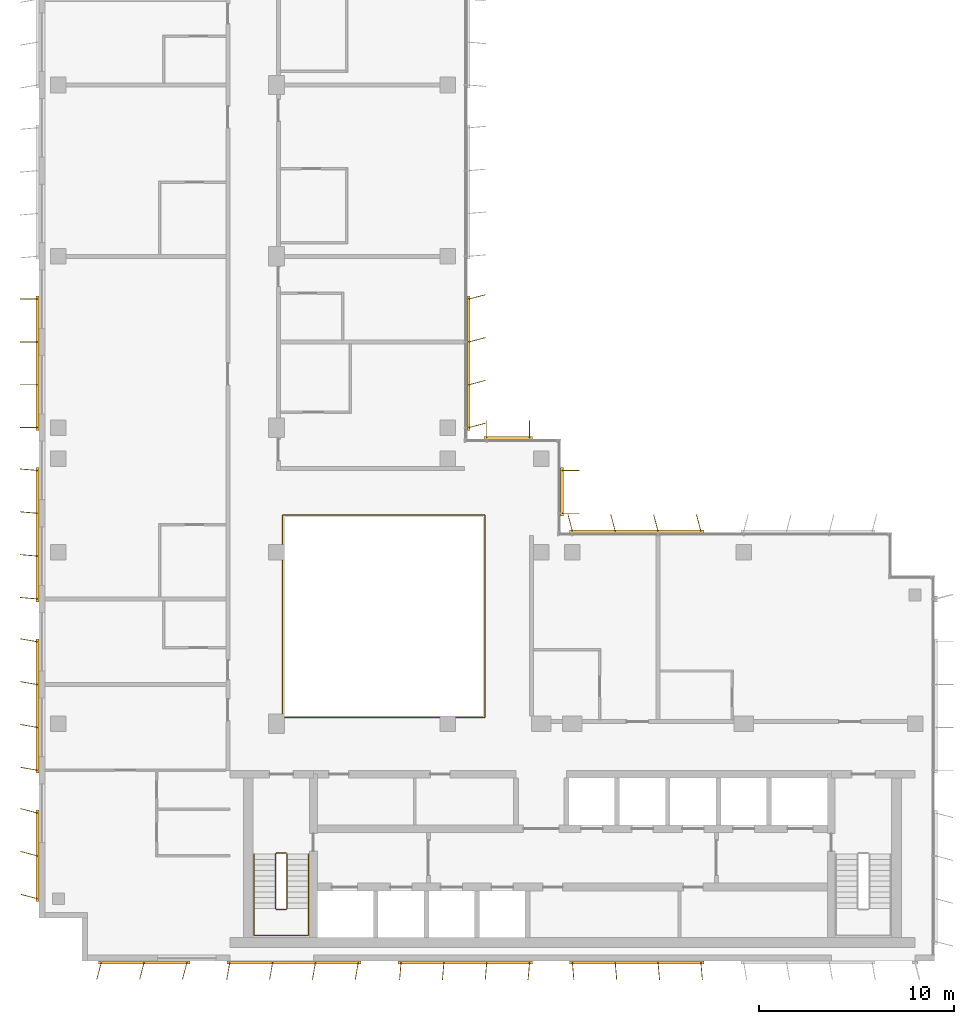
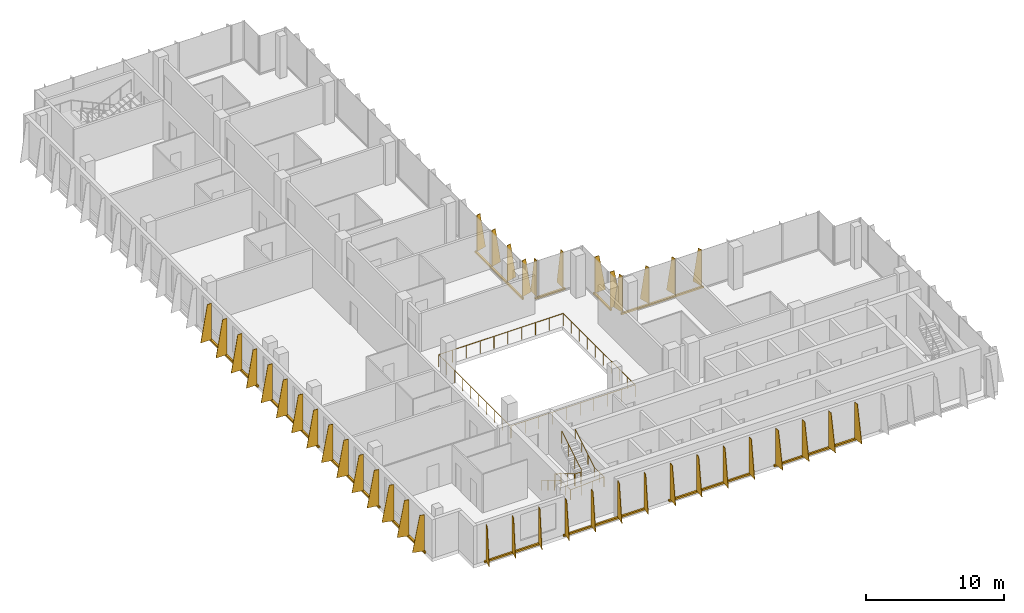
# One storey, part 13 of 15: 12 shading devices, 3 railings.
"""IFC4 building model written with IfcOpenShell, lengths in metres."""

from ifc_helpers import new_model, si_unit, direction, frame, origin, origin_2d, place, context, subcontext, project, spatial, polyline, rectangle, circle, outline, extrude, source, transform, mapped, material, layer, layer_set, type_object, element, save


model = new_model("IFC4")

# Units and contexts
model_context = context("Model", 3, precision=1e-05, world=origin(), true_north=direction((0.0, 1.0)))
body_context = subcontext(model_context, "Body", "Model", "MODEL_VIEW")
ifc_project = project(units=[si_unit("LENGTHUNIT", "METRE"), si_unit("AREAUNIT", "SQUARE_METRE"), si_unit("VOLUMEUNIT", "CUBIC_METRE"), si_unit("PLANEANGLEUNIT", "RADIAN"), si_unit("MASSUNIT", "GRAM", prefix="KILO")], contexts=[model_context])

# Site, building, storey
site_placement = place(None, origin())
site = spatial("IfcSite", under=ifc_project, at=site_placement, CompositionType="ELEMENT")
building_placement = place(site_placement, origin())
building = spatial("IfcBuilding", under=site, at=building_placement, Name="Kemantara Hotel Tower", CompositionType="ELEMENT")
storey_placement = place(building_placement, frame((0.0, 0.0, 230.199951171875)))
storey = spatial("IfcBuildingStorey", under=building, at=storey_placement, Name="L57", CompositionType="ELEMENT", Elevation=230.199951171875)

# Railings
ifc_material_1 = material(Name="Stainless steel and laminated glass balustrade", Category="steel")
railing_type_1 = type_object("IfcRailingType", Name="ATRIUM GUARD 1100", PredefinedType="GUARDRAIL", material=ifc_material_1)
railing_1_placement = place(storey_placement, frame((12.56005859375, 12.5, 0.0)))
element("IfcRailing", 1, at=railing_1_placement, inside=storey, type_object=railing_type_1, Name="ATRIUM GUARD L57", PredefinedType="GUARDRAIL", context=body_context, shape_type="SweptSolid", body=[
    extrude(circle(Radius=0.02490234375, at=origin_2d()), frame((0.0, 0.0, 1.0751953125), z_axis=(1.0, 0.0, 0.0), x_axis=(0.0, 1.0, 0.0)), (0.0, 0.0, 1.0), 10.33984375),
    extrude(circle(Radius=0.02490234375, at=origin_2d()), frame((10.33984375, 0.0, 1.0751953125), z_axis=(0.0, 1.0, 0.0), x_axis=(-1.0, 0.0, 0.0)), (0.0, 0.0, 1.0), 10.39990234375),
    extrude(circle(Radius=0.02490234375, at=origin_2d()), frame((10.33984375, 10.39990234375, 1.0751953125), z_axis=(-1.0, 0.0, 0.0), x_axis=(0.0, -1.0, 0.0)), (0.0, 0.0, 1.0), 10.39990234375),
    extrude(circle(Radius=0.02490234375, at=origin_2d()), frame((-0.06005859375, 10.39990234375, 1.0751953125), z_axis=(0.0, -1.0, 0.0), x_axis=(1.0, 0.0, 0.0)), (0.0, 0.0, 1.0), 10.39990234375),
    extrude(circle(Radius=0.02001953125, at=origin_2d()), origin(), (0.0, 0.0, 1.0), 1.050048828125),
    extrude(circle(Radius=0.02001953125, at=origin_2d()), frame((1.14892578125, 0.0, 0.0)), (0.0, 0.0, 1.0), 1.050048828125),
    extrude(circle(Radius=0.02001953125, at=origin_2d()), frame((2.2978515625, 0.0, 0.0)), (0.0, 0.0, 1.0), 1.050048828125),
    extrude(circle(Radius=0.02001953125, at=origin_2d()), frame((3.446533203125, 0.0, 0.0)), (0.0, 0.0, 1.0), 1.050048828125),
    extrude(circle(Radius=0.02001953125, at=origin_2d()), frame((4.595458984375, 0.0, 0.0)), (0.0, 0.0, 1.0), 1.050048828125),
    extrude(circle(Radius=0.02001953125, at=origin_2d()), frame((5.744384765625, 0.0, 0.0)), (0.0, 0.0, 1.0), 1.050048828125),
    extrude(circle(Radius=0.02001953125, at=origin_2d()), frame((6.893310546875, 0.0, 0.0)), (0.0, 0.0, 1.0), 1.050048828125),
    extrude(circle(Radius=0.02001953125, at=origin_2d()), frame((8.0419921875, 0.0, 0.0)), (0.0, 0.0, 1.0), 1.050048828125),
    extrude(circle(Radius=0.02001953125, at=origin_2d()), frame((9.19091796875, 0.0, 0.0)), (0.0, 0.0, 1.0), 1.050048828125),
    extrude(circle(Radius=0.02001953125, at=origin_2d()), frame((10.33984375, 0.0, 0.0)), (0.0, 0.0, 1.0), 1.050048828125),
    extrude(circle(Radius=0.02001953125, at=origin_2d()), frame((10.33984375, 1.155517578125, 0.0)), (0.0, 0.0, 1.0), 1.050048828125),
    extrude(circle(Radius=0.02001953125, at=origin_2d()), frame((10.33984375, 2.31103515625, 0.0)), (0.0, 0.0, 1.0), 1.050048828125),
    extrude(circle(Radius=0.02001953125, at=origin_2d()), frame((10.33984375, 3.466552734375, 0.0)), (0.0, 0.0, 1.0), 1.050048828125),
    extrude(circle(Radius=0.02001953125, at=origin_2d()), frame((10.33984375, 4.6220703125, 0.0)), (0.0, 0.0, 1.0), 1.050048828125),
    extrude(circle(Radius=0.02001953125, at=origin_2d()), frame((10.33984375, 5.77783203125, 0.0)), (0.0, 0.0, 1.0), 1.050048828125),
    extrude(circle(Radius=0.02001953125, at=origin_2d()), frame((10.33984375, 6.933349609375, 0.0)), (0.0, 0.0, 1.0), 1.050048828125),
    extrude(circle(Radius=0.02001953125, at=origin_2d()), frame((10.33984375, 8.0888671875, 0.0)), (0.0, 0.0, 1.0), 1.050048828125),
    extrude(circle(Radius=0.02001953125, at=origin_2d()), frame((10.33984375, 9.244384765625, 0.0)), (0.0, 0.0, 1.0), 1.050048828125),
    extrude(circle(Radius=0.02001953125, at=origin_2d()), frame((10.33984375, 10.39990234375, 0.0)), (0.0, 0.0, 1.0), 1.050048828125),
    extrude(circle(Radius=0.02001953125, at=origin_2d()), frame((9.184326171875, 10.39990234375, 0.0)), (0.0, 0.0, 1.0), 1.050048828125),
    extrude(circle(Radius=0.02001953125, at=origin_2d()), frame((8.02880859375, 10.39990234375, 0.0)), (0.0, 0.0, 1.0), 1.050048828125),
    extrude(circle(Radius=0.02001953125, at=origin_2d()), frame((6.873291015625, 10.39990234375, 0.0)), (0.0, 0.0, 1.0), 1.050048828125),
    extrude(circle(Radius=0.02001953125, at=origin_2d()), frame((5.7177734375, 10.39990234375, 0.0)), (0.0, 0.0, 1.0), 1.050048828125),
    extrude(circle(Radius=0.02001953125, at=origin_2d()), frame((4.56201171875, 10.39990234375, 0.0)), (0.0, 0.0, 1.0), 1.050048828125),
    extrude(circle(Radius=0.02001953125, at=origin_2d()), frame((3.406494140625, 10.39990234375, 0.0)), (0.0, 0.0, 1.0), 1.050048828125),
    extrude(circle(Radius=0.02001953125, at=origin_2d()), frame((2.2509765625, 10.39990234375, 0.0)), (0.0, 0.0, 1.0), 1.050048828125),
    extrude(circle(Radius=0.02001953125, at=origin_2d()), frame((1.095458984375, 10.39990234375, 0.0)), (0.0, 0.0, 1.0), 1.050048828125),
    extrude(circle(Radius=0.02001953125, at=origin_2d()), frame((-0.06005859375, 10.39990234375, 0.0)), (0.0, 0.0, 1.0), 1.050048828125),
    extrude(circle(Radius=0.02001953125, at=origin_2d()), frame((-0.06005859375, 9.244384765625, 0.0)), (0.0, 0.0, 1.0), 1.050048828125),
    extrude(circle(Radius=0.02001953125, at=origin_2d()), frame((-0.06005859375, 8.0888671875, 0.0)), (0.0, 0.0, 1.0), 1.050048828125),
    extrude(circle(Radius=0.02001953125, at=origin_2d()), frame((-0.06005859375, 6.933349609375, 0.0)), (0.0, 0.0, 1.0), 1.050048828125),
    extrude(circle(Radius=0.02001953125, at=origin_2d()), frame((-0.06005859375, 5.77783203125, 0.0)), (0.0, 0.0, 1.0), 1.050048828125),
    extrude(circle(Radius=0.02001953125, at=origin_2d()), frame((-0.06005859375, 4.6220703125, 0.0)), (0.0, 0.0, 1.0), 1.050048828125),
    extrude(circle(Radius=0.02001953125, at=origin_2d()), frame((-0.06005859375, 3.466552734375, 0.0)), (0.0, 0.0, 1.0), 1.050048828125),
    extrude(circle(Radius=0.02001953125, at=origin_2d()), frame((-0.06005859375, 2.31103515625, 0.0)), (0.0, 0.0, 1.0), 1.050048828125),
    extrude(circle(Radius=0.02001953125, at=origin_2d()), frame((-0.06005859375, 1.155517578125, 0.0)), (0.0, 0.0, 1.0), 1.050048828125),
    extrude(circle(Radius=0.02001953125, at=origin_2d()), frame((-0.06005859375, 0.0, 0.0)), (0.0, 0.0, 1.0), 1.050048828125),
])
ifc_material_2 = material(Name="Stainless steel balustrade", Category="steel")
railing_type_2 = type_object("IfcRailingType", Name="Stair guard 1100 mm", PredefinedType="GUARDRAIL", material=ifc_material_2)
railing_2_placement = place(storey_placement, frame((12.75, 5.5, 3.699951171875)))
element("IfcRailing", 2, at=railing_2_placement, inside=storey, type_object=railing_type_2, Name="L57 ST1 stair guard 1", PredefinedType="GUARDRAIL", context=body_context, shape_type="SweptSolid", body=[
    extrude(circle(Radius=0.02392578125, at=origin_2d()), frame((0.0, 0.0, 1.076171875), z_axis=(0.0, -0.857275202839, -0.514858452973), x_axis=(1.0, 0.0, 0.0)), (0.0, 0.0, 1.0), 3.26611328125),
    extrude(circle(Radius=0.02392578125, at=origin_2d()), frame((0.0, -2.800048828125, -0.60546875), z_axis=(-0.274243871929, -0.274243871929, -0.92172696468), x_axis=(0.707106781187, -0.707106781187, 0.0)), (0.0, 0.0, 1.0), 0.1826171875),
    extrude(circle(Radius=0.02392578125, at=origin_2d()), frame((-0.050048828125, -2.85009765625, -0.77392578125), z_axis=(-1.0, 0.0, 0.0), x_axis=(0.0, -1.0, 0.0)), (0.0, 0.0, 1.0), 0.5),
    extrude(circle(Radius=0.02392578125, at=origin_2d()), frame((-0.550048828125, -2.85009765625, -0.77392578125), z_axis=(-0.707106781187, 0.707106781187, 0.0), x_axis=(-0.707106781187, -0.707106781187, 0.0)), (0.0, 0.0, 1.0), 0.07080078125),
    extrude(circle(Radius=0.02392578125, at=origin_2d()), frame((-0.60009765625, -2.800048828125, -0.77392578125), z_axis=(0.0, 0.857242210791, -0.514913383045), x_axis=(-1.0, 0.0, 0.0)), (0.0, 0.0, 1.0), 3.266357421875),
    extrude(circle(Radius=0.02392578125, at=origin_2d()), frame((-0.60009765625, 0.0, -2.45556640625), z_axis=(0.274243871929, 0.274243871929, -0.92172696468), x_axis=(-0.707106781187, 0.707106781187, 0.0)), (0.0, 0.0, 1.0), 0.1826171875),
    extrude(circle(Radius=0.02392578125, at=origin_2d()), frame((-0.550048828125, 0.050048828125, -2.6240234375), z_axis=(1.0, 0.0, 0.0), x_axis=(0.0, 1.0, 0.0)), (0.0, 0.0, 1.0), 0.5),
    extrude(circle(Radius=0.02099609375, at=origin_2d()), origin(), (0.0, 0.0, 1.0), 1.052001953125),
    extrude(circle(Radius=0.02099609375, at=origin_2d()), frame((0.0, -0.933349609375, -0.560546875)), (0.0, 0.0, 1.0), 1.052001953125),
    extrude(circle(Radius=0.02099609375, at=origin_2d()), frame((0.0, -1.86669921875, -1.12109375)), (0.0, 0.0, 1.0), 1.052001953125),
    extrude(circle(Radius=0.02099609375, at=origin_2d()), frame((0.0, -2.800048828125, -1.681640625)), (0.0, 0.0, 1.0), 1.052001953125),
    extrude(circle(Radius=0.02099609375, at=origin_2d()), frame((-0.050048828125, -2.85009765625, -1.849853515625)), (0.0, 0.0, 1.0), 1.052001953125),
    extrude(circle(Radius=0.02099609375, at=origin_2d()), frame((-0.550048828125, -2.85009765625, -1.849853515625)), (0.0, 0.0, 1.0), 1.052001953125),
    extrude(circle(Radius=0.02099609375, at=origin_2d()), frame((-0.60009765625, -2.800048828125, -1.849853515625)), (0.0, 0.0, 1.0), 1.052001953125),
    extrude(circle(Radius=0.02099609375, at=origin_2d()), frame((-0.60009765625, -1.86669921875, -2.410400390625)), (0.0, 0.0, 1.0), 1.052001953125),
    extrude(circle(Radius=0.02099609375, at=origin_2d()), frame((-0.60009765625, -0.933349609375, -2.97119140625)), (0.0, 0.0, 1.0), 1.052001953125),
    extrude(circle(Radius=0.02099609375, at=origin_2d()), frame((-0.60009765625, 0.0, -3.53173828125)), (0.0, 0.0, 1.0), 1.052001953125),
    extrude(circle(Radius=0.02099609375, at=origin_2d()), frame((-0.550048828125, 0.050048828125, -3.699951171875)), (0.0, 0.0, 1.0), 1.052001953125),
    extrude(circle(Radius=0.02099609375, at=origin_2d()), frame((-0.050048828125, 0.050048828125, -3.699951171875)), (0.0, 0.0, 1.0), 1.052001953125),
])
railing_type_3 = type_object("IfcRailingType", Name="Stair handrail 900 mm", PredefinedType="HANDRAIL", material=ifc_material_2)
railing_3_placement = place(storey_placement, frame((11.050048828125, 5.5, 0.168212890625)))
element("IfcRailing", 3, at=railing_3_placement, inside=storey, type_object=railing_type_3, Name="L57 ST1 stair handrail 1", PredefinedType="HANDRAIL", context=body_context, shape_type="SweptSolid", body=[
    extrude(circle(Radius=0.02392578125, at=origin_2d()), frame((0.0, 0.0, 0.8759765625), z_axis=(0.0, -0.857242210791, 0.514913383045), x_axis=(1.0, 0.0, 0.0)), (0.0, 0.0, 1.0), 3.266357421875),
    extrude(circle(Radius=0.02392578125, at=origin_2d()), frame((0.0, -2.800048828125, 2.5576171875), z_axis=(0.0, -1.0, 0.0), x_axis=(1.0, 0.0, 0.0)), (0.0, 0.0, 1.0), 1.3798828125),
    extrude(circle(Radius=0.02392578125, at=origin_2d()), frame((0.0, -4.179931640625, 2.5576171875), z_axis=(0.998200367801, 0.0, 0.059966871865), x_axis=(0.0, 1.0, 0.0)), (0.0, 0.0, 1.0), 2.80517578125),
    extrude(circle(Radius=0.02392578125, at=origin_2d()), frame((2.800048828125, -4.179931640625, 2.72607421875), z_axis=(0.0, 1.0, 0.0), x_axis=(-1.0, 0.0, 0.0)), (0.0, 0.0, 1.0), 1.3798828125),
    extrude(circle(Radius=0.02392578125, at=origin_2d()), frame((2.800048828125, -2.800048828125, 2.72607421875), z_axis=(0.0, 0.857275202839, 0.514858452973), x_axis=(-1.0, 0.0, 0.0)), (0.0, 0.0, 1.0), 3.26611328125),
    extrude(circle(Radius=0.02099609375, at=origin_2d()), origin(), (0.0, 0.0, 1.0), 0.851806640625),
    extrude(circle(Radius=0.02099609375, at=origin_2d()), frame((0.0, -0.933349609375, 0.560546875)), (0.0, 0.0, 1.0), 0.851806640625),
    extrude(circle(Radius=0.02099609375, at=origin_2d()), frame((0.0, -1.86669921875, 1.121337890625)), (0.0, 0.0, 1.0), 0.851806640625),
    extrude(circle(Radius=0.02099609375, at=origin_2d()), frame((0.0, -2.800048828125, 1.681884765625)), (0.0, 0.0, 1.0), 0.851806640625),
    extrude(circle(Radius=0.02099609375, at=origin_2d()), frame((0.0, -3.489990234375, 1.681884765625)), (0.0, 0.0, 1.0), 0.851806640625),
    extrude(circle(Radius=0.02099609375, at=origin_2d()), frame((0.0, -4.179931640625, 1.681884765625)), (0.0, 0.0, 1.0), 0.851806640625),
    extrude(circle(Radius=0.02099609375, at=origin_2d()), frame((0.933349609375, -4.179931640625, 1.738037109375)), (0.0, 0.0, 1.0), 0.851806640625),
    extrude(circle(Radius=0.02099609375, at=origin_2d()), frame((1.86669921875, -4.179931640625, 1.7939453125)), (0.0, 0.0, 1.0), 0.851806640625),
    extrude(circle(Radius=0.02099609375, at=origin_2d()), frame((2.800048828125, -4.179931640625, 1.85009765625)), (0.0, 0.0, 1.0), 0.851806640625),
    extrude(circle(Radius=0.02099609375, at=origin_2d()), frame((2.800048828125, -3.489990234375, 1.85009765625)), (0.0, 0.0, 1.0), 0.851806640625),
    extrude(circle(Radius=0.02099609375, at=origin_2d()), frame((2.800048828125, -2.800048828125, 1.85009765625)), (0.0, 0.0, 1.0), 0.851806640625),
    extrude(circle(Radius=0.02099609375, at=origin_2d()), frame((2.800048828125, -1.86669921875, 2.41064453125)), (0.0, 0.0, 1.0), 0.851806640625),
    extrude(circle(Radius=0.02099609375, at=origin_2d()), frame((2.800048828125, -0.933349609375, 2.97119140625)), (0.0, 0.0, 1.0), 0.851806640625),
    extrude(circle(Radius=0.02099609375, at=origin_2d()), frame((2.800048828125, 0.0, 3.53173828125)), (0.0, 0.0, 1.0), 0.851806640625),
])

# Shading devices
ifc_material_3 = material(Name="Perforated aluminium plate 4 mm bronze anodised", Category="aluminium")
ifc_layer_1 = layer(ifc_material_3, 0.0400390625)
ifc_layer_set_1 = layer_set([ifc_layer_1], Name="Perforated aluminium plate 4 mm bronze anodised")
shading_device_type_1 = type_object("IfcShadingDeviceType", Name="SCREEN FIN CASSETTE, 3 BLADES AT -15.0 DEG, 3200 HIGH", PredefinedType="USERDEFINED", material=ifc_layer_set_1)
shared_shape_1 = source(origin(), body_context, "Body", "SweptSolid", [
    extrude(rectangle(XDim=4.699951171875, YDim=0.14990234375, at=origin_2d()), frame((2.199951171875, -0.074951171875, -0.14990234375), z_axis=(0.0, 0.0, 1.0), x_axis=(1.0, 0.0, 0.0)), (0.0, 0.0, 1.0), 0.14990234375),
    extrude(outline(polyline([(0.0, 0.0), (0.89990234375, 0.0), (0.35009765625, 3.199951171875), (0.0, 3.199951171875), (0.0, 0.0)])), frame((0.019287109375, -0.080078125, 0.0), z_axis=(-0.966437683387, 0.256901156343, 0.0), x_axis=(-0.256901156343, -0.966437683387, 0.0)), (0.0, 0.0, 1.0), 0.039794921875),
    extrude(outline(polyline([(0.0, 0.0), (0.89990234375, 0.0), (0.35009765625, 3.199951171875), (0.0, 3.199951171875), (0.0, 0.0)])), frame((2.21923828125, -0.080078125, 0.0), z_axis=(-0.966437683387, 0.256901156343, 0.0), x_axis=(-0.256901156343, -0.966437683387, 0.0)), (0.0, 0.0, 1.0), 0.039794921875),
    extrude(outline(polyline([(0.0, 0.0), (0.89990234375, 0.0), (0.35009765625, 3.199951171875), (0.0, 3.199951171875), (0.0, 0.0)])), frame((4.41943359375, -0.080078125, 0.0), z_axis=(-0.966837822169, 0.255391122837, 0.0), x_axis=(-0.255391122837, -0.966837822169, 0.0)), (0.0, 0.0, 1.0), 0.0400390625),
])
for number, where, z_axis, x_axis, name in (
    (4, (0.0, 7.60009765625, 0.10009765625), (0.0, 0.0, 1.0), (0.0, -1.0, 0.0), "SCREEN FIN CASSETTE L57 T4-R05-7"),
    (5, (3.199951171875, 0.0, 0.10009765625), (0.0, 0.0, 1.0), (1.0, 0.0, 0.0), "SCREEN FIN CASSETTE L57 T4-R08-1"),
):
    element("IfcShadingDevice", number, at=place(storey_placement, frame(where, z_axis=z_axis, x_axis=x_axis)), inside=storey, type_object=shading_device_type_1, Name=name, ObjectType="SCREEN FIN", PredefinedType="USERDEFINED", context=body_context, shape_type="MappedRepresentation", body=[
        mapped(shared_shape_1, transform((0.0, 0.0, 0.0))),
    ])
ifc_layer_2 = layer(ifc_material_3, 0.0400390625)
ifc_layer_set_2 = layer_set([ifc_layer_2], Name="Perforated aluminium plate 4 mm bronze anodised")
shading_device_type_2 = type_object("IfcShadingDeviceType", Name="SCREEN FIN CASSETTE, 4 BLADES AT -10.0 DEG, 3200 HIGH", PredefinedType="USERDEFINED", material=ifc_layer_set_2)
shared_shape_2 = source(origin(), body_context, "Body", "SweptSolid", [
    extrude(rectangle(XDim=6.89990234375, YDim=0.14990234375, at=origin_2d()), frame((3.300048828125, -0.074951171875, -0.14990234375), z_axis=(0.0, 0.0, 1.0), x_axis=(1.0, 0.0, 0.0)), (0.0, 0.0, 1.0), 0.14990234375),
    extrude(outline(polyline([(0.0, 0.0), (0.89990234375, 0.0), (0.35009765625, 3.199951171875), (0.0, 3.199951171875), (0.0, 0.0)])), frame((0.019775390625, -0.078369140625, 0.0), z_axis=(-0.985389793052, 0.170314285219, 0.0), x_axis=(-0.170314285219, -0.985389793052, 0.0)), (0.0, 0.0, 1.0), 0.0400390625),
    extrude(outline(polyline([(0.0, 0.0), (0.89990234375, 0.0), (0.35009765625, 3.199951171875), (0.0, 3.199951171875), (0.0, 0.0)])), frame((2.2197265625, -0.078369140625, 0.0), z_axis=(-0.98521175482, 0.171341174751, 0.0), x_axis=(-0.171341174751, -0.98521175482, 0.0)), (0.0, 0.0, 1.0), 0.039794921875),
    extrude(outline(polyline([(0.0, 0.0), (0.89990234375, 0.0), (0.35009765625, 3.199951171875), (0.0, 3.199951171875), (0.0, 0.0)])), frame((4.419677734375, -0.078369140625, 0.0), z_axis=(-0.98521175482, 0.171341174751, 0.0), x_axis=(-0.171341174751, -0.98521175482, 0.0)), (0.0, 0.0, 1.0), 0.039794921875),
    extrude(outline(polyline([(0.0, 0.0), (0.89990234375, 0.0), (0.35009765625, 3.199951171875), (0.0, 3.199951171875), (0.0, 0.0)])), frame((6.61962890625, -0.078369140625, 0.0), z_axis=(-0.98521175482, 0.171341174751, 0.0), x_axis=(-0.171341174751, -0.98521175482, 0.0)), (0.0, 0.0, 1.0), 0.039794921875),
])
for number, where, z_axis, x_axis, name in (
    (6, (0.0, 16.39990234375, 0.10009765625), (0.0, 0.0, 1.0), (0.0, -1.0, 0.0), "SCREEN FIN CASSETTE L57 T4-R05-6"),
    (7, (9.800048828125, 0.0, 0.10009765625), (0.0, 0.0, 1.0), (1.0, 0.0, 0.0), "SCREEN FIN CASSETTE L57 T4-R08-2"),
):
    element("IfcShadingDevice", number, at=place(storey_placement, frame(where, z_axis=z_axis, x_axis=x_axis)), inside=storey, type_object=shading_device_type_2, Name=name, ObjectType="SCREEN FIN", PredefinedType="USERDEFINED", context=body_context, shape_type="MappedRepresentation", body=[
        mapped(shared_shape_2, transform((0.0, 0.0, 0.0))),
    ])
ifc_layer_3 = layer(ifc_material_3, 0.0400390625)
ifc_layer_set_3 = layer_set([ifc_layer_3], Name="Perforated aluminium plate 4 mm bronze anodised")
shading_device_type_3 = type_object("IfcShadingDeviceType", Name="SCREEN FIN CASSETTE, 4 BLADES AT -5.0 DEG, 3200 HIGH", PredefinedType="USERDEFINED", material=ifc_layer_set_3)
shared_shape_3 = source(origin(), body_context, "Body", "SweptSolid", [
    extrude(rectangle(XDim=6.89990234375, YDim=0.14990234375, at=origin_2d()), frame((3.300048828125, -0.074951171875, -0.14990234375), z_axis=(0.0, 0.0, 1.0), x_axis=(1.0, 0.0, 0.0)), (0.0, 0.0, 1.0), 0.14990234375),
    extrude(outline(polyline([(0.0, 0.0), (0.89990234375, 0.0), (0.35009765625, 3.199951171875), (0.0, 3.199951171875), (0.0, 0.0)])), frame((0.02001953125, -0.07666015625, 0.0), z_axis=(-0.996376129781, 0.085056498884, 0.0), x_axis=(-0.085056498884, -0.996376129781, 0.0)), (0.0, 0.0, 1.0), 0.040283203125),
    extrude(outline(polyline([(0.0, 0.0), (0.89990234375, 0.0), (0.35009765625, 3.199951171875), (0.0, 3.199951171875), (0.0, 0.0)])), frame((2.219970703125, -0.07666015625, 0.0), z_axis=(-0.996331773833, 0.085574508182, 0.0), x_axis=(-0.085574508182, -0.996331773833, 0.0)), (0.0, 0.0, 1.0), 0.0400390625),
    extrude(outline(polyline([(0.0, 0.0), (0.89990234375, 0.0), (0.35009765625, 3.199951171875), (0.0, 3.199951171875), (0.0, 0.0)])), frame((4.419921875, -0.07666015625, 0.0), z_axis=(-0.996331773833, 0.085574508182, 0.0), x_axis=(-0.085574508182, -0.996331773833, 0.0)), (0.0, 0.0, 1.0), 0.0400390625),
    extrude(outline(polyline([(0.0, 0.0), (0.89990234375, 0.0), (0.35009765625, 3.199951171875), (0.0, 3.199951171875), (0.0, 0.0)])), frame((6.619873046875, -0.07666015625, 0.0), z_axis=(-0.996331773833, 0.085574508182, 0.0), x_axis=(-0.085574508182, -0.996331773833, 0.0)), (0.0, 0.0, 1.0), 0.0400390625),
])
for number, where, z_axis, x_axis, name in (
    (8, (0.0, 25.199951171875, 0.10009765625), (0.0, 0.0, 1.0), (0.0, -1.0, 0.0), "SCREEN FIN CASSETTE L57 T4-R05-5"),
    (9, (18.60009765625, 0.0, 0.10009765625), (0.0, 0.0, 1.0), (1.0, 0.0, 0.0), "SCREEN FIN CASSETTE L57 T4-R08-3"),
):
    element("IfcShadingDevice", number, at=place(storey_placement, frame(where, z_axis=z_axis, x_axis=x_axis)), inside=storey, type_object=shading_device_type_3, Name=name, ObjectType="SCREEN FIN", PredefinedType="USERDEFINED", context=body_context, shape_type="MappedRepresentation", body=[
        mapped(shared_shape_3, transform((0.0, 0.0, 0.0))),
    ])
ifc_layer_4 = layer(ifc_material_3, 0.0400390625)
ifc_layer_set_4 = layer_set([ifc_layer_4], Name="Perforated aluminium plate 4 mm bronze anodised")
shading_device_type_4 = type_object("IfcShadingDeviceType", Name="SCREEN FIN CASSETTE, 4 BLADES AT +0.0 DEG, 3200 HIGH", PredefinedType="USERDEFINED", material=ifc_layer_set_4)
shared_shape_4 = source(origin(), body_context, "Body", "SweptSolid", [
    extrude(rectangle(XDim=6.89990234375, YDim=0.14990234375, at=origin_2d()), frame((3.300048828125, -0.074951171875, -0.14990234375), z_axis=(0.0, 0.0, 1.0), x_axis=(1.0, 0.0, 0.0)), (0.0, 0.0, 1.0), 0.14990234375),
    extrude(outline(polyline([(0.0, 0.0), (0.89990234375, 0.0), (0.35009765625, 3.199951171875), (0.0, 3.199951171875), (0.0, 0.0)])), frame((0.02001953125, -0.074951171875, 0.0), z_axis=(-1.0, 0.0, 0.0), x_axis=(0.0, -1.0, 0.0)), (0.0, 0.0, 1.0), 0.0400390625),
    extrude(outline(polyline([(0.0, 0.0), (0.89990234375, 0.0), (0.35009765625, 3.199951171875), (0.0, 3.199951171875), (0.0, 0.0)])), frame((2.219970703125, -0.074951171875, 0.0), z_axis=(-1.0, 0.0, 0.0), x_axis=(0.0, -1.0, 0.0)), (0.0, 0.0, 1.0), 0.0400390625),
    extrude(outline(polyline([(0.0, 0.0), (0.89990234375, 0.0), (0.35009765625, 3.199951171875), (0.0, 3.199951171875), (0.0, 0.0)])), frame((4.419921875, -0.074951171875, 0.0), z_axis=(-1.0, 0.0, 0.0), x_axis=(0.0, -1.0, 0.0)), (0.0, 0.0, 1.0), 0.0400390625),
    extrude(outline(polyline([(0.0, 0.0), (0.89990234375, 0.0), (0.35009765625, 3.199951171875), (0.0, 3.199951171875), (0.0, 0.0)])), frame((6.6201171875, -0.074951171875, 0.0), z_axis=(-1.0, 0.0, 0.0), x_axis=(0.0, -1.0, 0.0)), (0.0, 0.0, 1.0), 0.0400390625),
])
shading_device_1_placement = place(storey_placement, frame((0.0, 34.0, 0.10009765625), z_axis=(0.0, 0.0, 1.0), x_axis=(0.0, -1.0, 0.0)))
element("IfcShadingDevice", 10, at=shading_device_1_placement, inside=storey, type_object=shading_device_type_4, Name="SCREEN FIN CASSETTE L57 T4-R05-4", ObjectType="SCREEN FIN", PredefinedType="USERDEFINED", context=body_context, shape_type="MappedRepresentation", body=[
    mapped(shared_shape_4, transform((0.0, 0.0, 0.0))),
])
ifc_layer_5 = layer(ifc_material_3, 0.0400390625)
ifc_layer_set_5 = layer_set([ifc_layer_5], Name="Perforated aluminium plate 4 mm bronze anodised")
shading_device_type_5 = type_object("IfcShadingDeviceType", Name="SCREEN FIN CASSETTE, 4 BLADES AT +5.0 DEG, 3200 HIGH", PredefinedType="USERDEFINED", material=ifc_layer_set_5)
shared_shape_5 = source(origin(), body_context, "Body", "SweptSolid", [
    extrude(rectangle(XDim=6.89990234375, YDim=0.14990234375, at=origin_2d()), frame((3.300048828125, -0.074951171875, -0.14990234375), z_axis=(0.0, 0.0, 1.0), x_axis=(1.0, 0.0, 0.0)), (0.0, 0.0, 1.0), 0.14990234375),
    extrude(outline(polyline([(0.0, 0.0), (0.89990234375, 0.0), (0.35009765625, 3.199951171875), (0.0, 3.199951171875), (0.0, 0.0)])), frame((0.02001953125, -0.0732421875, 0.0), z_axis=(-0.996376129781, -0.085056498884, 0.0), x_axis=(0.085056498884, -0.996376129781, 0.0)), (0.0, 0.0, 1.0), 0.040283203125),
    extrude(outline(polyline([(0.0, 0.0), (0.89990234375, 0.0), (0.35009765625, 3.199951171875), (0.0, 3.199951171875), (0.0, 0.0)])), frame((2.219970703125, -0.0732421875, 0.0), z_axis=(-0.996331773833, -0.085574508182, 0.0), x_axis=(0.085574508182, -0.996331773833, 0.0)), (0.0, 0.0, 1.0), 0.0400390625),
    extrude(outline(polyline([(0.0, 0.0), (0.89990234375, 0.0), (0.35009765625, 3.199951171875), (0.0, 3.199951171875), (0.0, 0.0)])), frame((4.419921875, -0.0732421875, 0.0), z_axis=(-0.996331773833, -0.085574508182, 0.0), x_axis=(0.085574508182, -0.996331773833, 0.0)), (0.0, 0.0, 1.0), 0.0400390625),
    extrude(outline(polyline([(0.0, 0.0), (0.89990234375, 0.0), (0.35009765625, 3.199951171875), (0.0, 3.199951171875), (0.0, 0.0)])), frame((6.619873046875, -0.0732421875, 0.0), z_axis=(-0.996331773833, -0.085574508182, 0.0), x_axis=(0.085574508182, -0.996331773833, 0.0)), (0.0, 0.0, 1.0), 0.0400390625),
])
shading_device_2_placement = place(storey_placement, frame((27.39990234375, 0.0, 0.10009765625), z_axis=(0.0, 0.0, 1.0), x_axis=(1.0, 0.0, 0.0)))
element("IfcShadingDevice", 11, at=shading_device_2_placement, inside=storey, type_object=shading_device_type_5, Name="SCREEN FIN CASSETTE L57 T4-R08-4", ObjectType="SCREEN FIN", PredefinedType="USERDEFINED", context=body_context, shape_type="MappedRepresentation", body=[
    mapped(shared_shape_5, transform((0.0, 0.0, 0.0))),
])
ifc_layer_6 = layer(ifc_material_3, 0.0400390625)
ifc_layer_set_6 = layer_set([ifc_layer_6], Name="Perforated aluminium plate 4 mm bronze anodised")
shading_device_type_6 = type_object("IfcShadingDeviceType", Name="SCREEN FIN CASSETTE, 4 BLADES AT +15.0 DEG, 3200 HIGH", PredefinedType="USERDEFINED", material=ifc_layer_set_6)
shared_shape_6 = source(origin(), body_context, "Body", "SweptSolid", [
    extrude(rectangle(XDim=6.89990234375, YDim=0.14990234375, at=origin_2d()), frame((3.300048828125, -0.074951171875, -0.14990234375), z_axis=(0.0, 0.0, 1.0), x_axis=(1.0, 0.0, 0.0)), (0.0, 0.0, 1.0), 0.14990234375),
    extrude(outline(polyline([(0.0, 0.0), (0.89990234375, 0.0), (0.35009765625, 3.199951171875), (0.0, 3.199951171875), (0.0, 0.0)])), frame((0.019287109375, -0.06982421875, 0.0), z_axis=(-0.966437683387, -0.256901156343, 0.0), x_axis=(0.256901156343, -0.966437683387, 0.0)), (0.0, 0.0, 1.0), 0.039794921875),
    extrude(outline(polyline([(0.0, 0.0), (0.89990234375, 0.0), (0.35009765625, 3.199951171875), (0.0, 3.199951171875), (0.0, 0.0)])), frame((2.21923828125, -0.06982421875, 0.0), z_axis=(-0.966437683387, -0.256901156343, 0.0), x_axis=(0.256901156343, -0.966437683387, 0.0)), (0.0, 0.0, 1.0), 0.039794921875),
    extrude(outline(polyline([(0.0, 0.0), (0.89990234375, 0.0), (0.35009765625, 3.199951171875), (0.0, 3.199951171875), (0.0, 0.0)])), frame((4.41943359375, -0.06982421875, 0.0), z_axis=(-0.966837822169, -0.255391122837, 0.0), x_axis=(0.255391122837, -0.966837822169, 0.0)), (0.0, 0.0, 1.0), 0.0400390625),
    extrude(outline(polyline([(0.0, 0.0), (0.89990234375, 0.0), (0.35009765625, 3.199951171875), (0.0, 3.199951171875), (0.0, 0.0)])), frame((6.619384765625, -0.06982421875, 0.0), z_axis=(-0.966837822169, -0.255391122837, 0.0), x_axis=(0.255391122837, -0.966837822169, 0.0)), (0.0, 0.0, 1.0), 0.0400390625),
])
for number, where, z_axis, x_axis, name in (
    (12, (34.0, 22.0, 0.10009765625), (0.0, 0.0, 1.0), (-1.0, 0.0, 0.0), "SCREEN FIN CASSETTE L57 T4-R12-2"),
    (13, (22.0, 27.39990234375, 0.10009765625), (0.0, 0.0, 1.0), (0.0, 1.0, 0.0), "SCREEN FIN CASSETTE L57 T4-R15-1"),
):
    element("IfcShadingDevice", number, at=place(storey_placement, frame(where, z_axis=z_axis, x_axis=x_axis)), inside=storey, type_object=shading_device_type_6, Name=name, ObjectType="SCREEN FIN", PredefinedType="USERDEFINED", context=body_context, shape_type="MappedRepresentation", body=[
        mapped(shared_shape_6, transform((0.0, 0.0, 0.0))),
    ])
ifc_layer_7 = layer(ifc_material_3, 0.0400390625)
ifc_layer_set_7 = layer_set([ifc_layer_7], Name="Perforated aluminium plate 4 mm bronze anodised")
shading_device_type_7 = type_object("IfcShadingDeviceType", Name="SCREEN FIN CASSETTE, 2 BLADES AT +0.0 DEG, 3200 HIGH", PredefinedType="USERDEFINED", material=ifc_layer_set_7)
shared_shape_7 = source(origin(), body_context, "Body", "SweptSolid", [
    extrude(rectangle(XDim=2.5, YDim=0.14990234375, at=origin_2d()), frame((1.10009765625, -0.074951171875, -0.14990234375), z_axis=(0.0, 0.0, 1.0), x_axis=(1.0, 0.0, 0.0)), (0.0, 0.0, 1.0), 0.14990234375),
    extrude(outline(polyline([(0.0, 0.0), (0.89990234375, 0.0), (0.35009765625, 3.199951171875), (0.0, 3.199951171875), (0.0, 0.0)])), frame((0.02001953125, -0.074951171875, 0.0), z_axis=(-1.0, 0.0, 0.0), x_axis=(0.0, -1.0, 0.0)), (0.0, 0.0, 1.0), 0.0400390625),
    extrude(outline(polyline([(0.0, 0.0), (0.89990234375, 0.0), (0.35009765625, 3.199951171875), (0.0, 3.199951171875), (0.0, 0.0)])), frame((2.219970703125, -0.074951171875, 0.0), z_axis=(-1.0, 0.0, 0.0), x_axis=(0.0, -1.0, 0.0)), (0.0, 0.0, 1.0), 0.0400390625),
])
for number, where, z_axis, x_axis, name in (
    (14, (26.800048828125, 23.0, 0.10009765625), (0.0, 0.0, 1.0), (0.0, 1.0, 0.0), "SCREEN FIN CASSETTE L57 T4-R13-1"),
    (15, (25.199951171875, 26.800048828125, 0.10009765625), (0.0, 0.0, 1.0), (-1.0, 0.0, 0.0), "SCREEN FIN CASSETTE L57 T4-R14-1"),
):
    element("IfcShadingDevice", number, at=place(storey_placement, frame(where, z_axis=z_axis, x_axis=x_axis)), inside=storey, type_object=shading_device_type_7, Name=name, ObjectType="SCREEN FIN", PredefinedType="USERDEFINED", context=body_context, shape_type="MappedRepresentation", body=[
        mapped(shared_shape_7, transform((0.0, 0.0, 0.0))),
    ])

save(model, "model.ifc")
